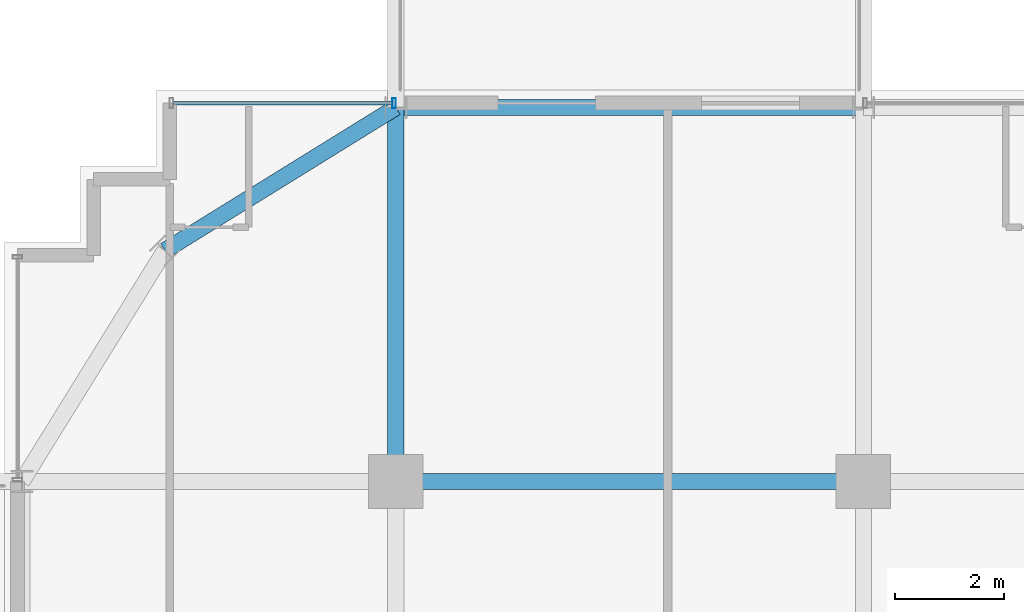
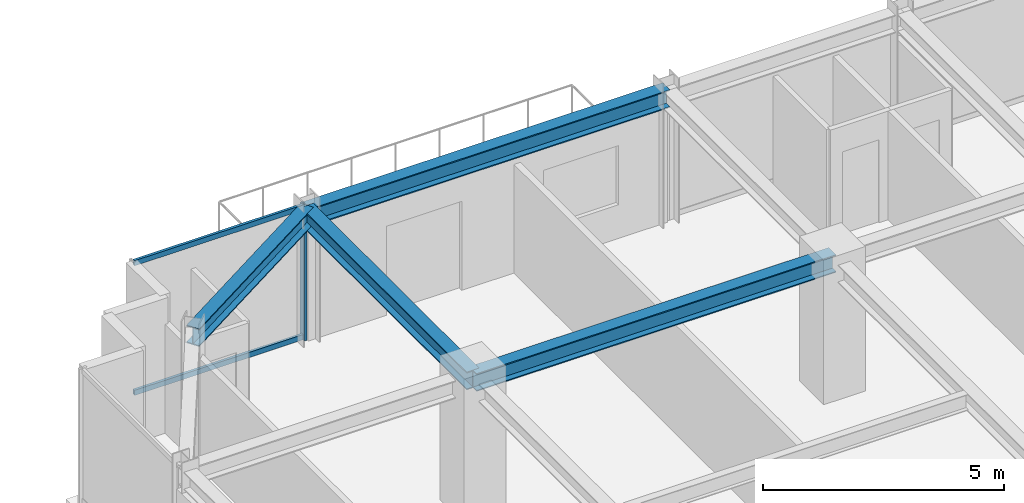
# One storey, part 21 of 36: 4 beams, 3 members, 1 element without a shape of its own.
"""IFC4 building model written with IfcOpenShell, lengths in metres."""

from ifc_helpers import new_model, si_unit, direction, frame, origin, origin_2d, place, context, subcontext, project, spatial, hollow_rectangle, i_section, extrude, source, transform, mapped, material, material_profile, profile_set, type_object, element, aggregate, save


model = new_model("IFC4")

# Units and contexts
model_context = context("Model", 3, precision=1e-05, world=origin(), true_north=direction((0.0, 1.0)))
body_context = subcontext(model_context, "Body", "Model", "MODEL_VIEW")
ifc_project = project(units=[si_unit("LENGTHUNIT", "METRE"), si_unit("AREAUNIT", "SQUARE_METRE"), si_unit("VOLUMEUNIT", "CUBIC_METRE"), si_unit("PLANEANGLEUNIT", "RADIAN"), si_unit("MASSUNIT", "GRAM", prefix="KILO")], contexts=[model_context])

# Site, building, storey
site_placement = place(None, origin())
site = spatial("IfcSite", under=ifc_project, at=site_placement, CompositionType="ELEMENT")
building_placement = place(site_placement, origin())
building = spatial("IfcBuilding", under=site, at=building_placement, Name="Nahalor Promenade Grand Hotel", CompositionType="ELEMENT")
storey_placement = place(building_placement, frame((0.0, 0.0, 212.300048828125)))
storey = spatial("IfcBuildingStorey", under=building, at=storey_placement, Name="L54", CompositionType="ELEMENT", Elevation=212.300048828125)

# Beams
ifc_material_1 = material(Name="Steel S355JR", Category="steel")
ifc_material_profile_1 = material_profile(ifc_material_1, i_section(OverallWidth=0.3, OverallDepth=0.45, WebThickness=0.014, FlangeThickness=0.026, at=origin_2d()), Name="HEB 450")
ifc_profile_set_1 = profile_set([ifc_material_profile_1], Name="Steel S355JR")
beam_type_1 = type_object("IfcBeamType", Name="Beam-Spandrel-HEB450", PredefinedType="SPANDREL", material=ifc_profile_set_1)
shared_shape_1 = source(origin(), body_context, "Body", "SweptSolid", [
    extrude(i_section(OverallWidth=0.3, OverallDepth=0.45, WebThickness=0.014, FlangeThickness=0.026, at=origin_2d()), origin(), (0.0, 0.0, 1.0), 8.60009765625),
])
beam_1_placement = place(storey_placement, frame((-17.0, 23.8798828125, 3.18505859375), z_axis=(1.0, 0.0, 0.0), x_axis=(0.0, 1.0, 0.0)))
element("IfcBeam", 1, at=beam_1_placement, inside=storey, type_object=beam_type_1, Name="BM-L54-SP-N-0", PredefinedType="SPANDREL", context=body_context, shape_type="MappedRepresentation", body=[
    mapped(shared_shape_1, transform((0.0, 0.0, 0.0), scale=1.0)),
])
shared_shape_2 = source(origin(), body_context, "Body", "SweptSolid", [
    extrude(i_section(OverallWidth=0.3, OverallDepth=0.45, WebThickness=0.014, FlangeThickness=0.026, at=origin_2d()), origin(), (0.0, 0.0, 1.0), 4.997802734375),
])
beam_2_placement = place(storey_placement, frame((-17.0, 23.8798828125, 3.18505859375), z_axis=(-0.850360908404, -0.526199891161, 0.0), x_axis=(0.526199891161, -0.850360908404, 0.0)))
element("IfcBeam", 2, at=beam_2_placement, inside=storey, type_object=beam_type_1, Name="BM-L54-SPC-NW-1", PredefinedType="SPANDREL", context=body_context, shape_type="MappedRepresentation", body=[
    mapped(shared_shape_2, transform((0.0, 0.0, 0.0), scale=1.0)),
])
ifc_material_profile_2 = material_profile(ifc_material_1, i_section(OverallWidth=0.3, OverallDepth=0.45, WebThickness=0.014, FlangeThickness=0.026, at=origin_2d()), Name="HEB 450")
ifc_profile_set_2 = profile_set([ifc_material_profile_2], Name="Steel S355JR")
beam_type_2 = type_object("IfcBeamType", Name="Beam-Girder-HEB450", PredefinedType="BEAM", material=ifc_profile_set_2)
shared_shape_3 = source(origin(), body_context, "Body", "SweptSolid", [
    extrude(i_section(OverallWidth=0.3, OverallDepth=0.45, WebThickness=0.014, FlangeThickness=0.026, at=origin_2d()), origin(), (0.0, 0.0, 1.0), 6.8798828125),
])
beam_3_placement = place(storey_placement, frame((-17.0, 17.0, 3.18505859375), z_axis=(0.0, 1.0, 0.0), x_axis=(-1.0, 0.0, 0.0)))
element("IfcBeam", 3, at=beam_3_placement, inside=storey, type_object=beam_type_2, Name="BM-L54-GY-0-4", PredefinedType="BEAM", context=body_context, shape_type="MappedRepresentation", body=[
    mapped(shared_shape_3, transform((0.0, 0.0, 0.0), scale=1.0)),
])
shared_shape_4 = source(origin(), body_context, "Body", "SweptSolid", [
    extrude(i_section(OverallWidth=0.3, OverallDepth=0.45, WebThickness=0.014, FlangeThickness=0.026, at=origin_2d()), origin(), (0.0, 0.0, 1.0), 8.60009765625),
])
beam_4_placement = place(storey_placement, frame((-17.0, 17.0, 3.18505859375), z_axis=(1.0, 0.0, 0.0), x_axis=(0.0, 1.0, 0.0)))
element("IfcBeam", 4, at=beam_4_placement, inside=storey, type_object=beam_type_2, Name="BM-L54-GX-3-1", PredefinedType="BEAM", context=body_context, shape_type="MappedRepresentation", body=[
    mapped(shared_shape_4, transform((0.0, 0.0, 0.0), scale=1.0)),
])

# Curtain wall, members
ifc_material_2 = material(Name="Anodised Bronze Aluminium EN AW-6063 T6", Category="aluminium")
curtain_wall_type = type_object("IfcCurtainWallType", Name="CW2 Typical Hotel Flush Bronze Unitised Curtain Wall", PredefinedType="USERDEFINED", material=ifc_material_2)
curtain_wall_placement = place(storey_placement, origin())
curtain_wall = element("IfcCurtainWall", 5, at=curtain_wall_placement, inside=storey, type_object=curtain_wall_type, Name="L54 Curtain Wall CW-L54-N-1", ObjectType="UNITISED_CURTAIN_WALL", PredefinedType="USERDEFINED")
ifc_material_profile_3 = material_profile(ifc_material_2, hollow_rectangle(XDim=0.065, YDim=0.13, WallThickness=0.004, at=origin_2d()), Name="CWT 65x130x4")
ifc_profile_set_3 = profile_set([ifc_material_profile_3], Name="Anodised Bronze Aluminium EN AW-6063 T6")
member_type_1 = type_object("IfcMemberType", Name="CWT2 Typical Bronze Transom 65x130", PredefinedType="USERDEFINED", material=ifc_profile_set_3)
shared_shape_5 = source(origin(), body_context, "Body", "SweptSolid", [
    extrude(hollow_rectangle(XDim=0.065, YDim=0.13, WallThickness=0.004, at=origin_2d()), origin(), (0.0, 0.0, 1.0), 4.030029296875),
])
member_1_placement = place(storey_placement, frame((-21.094970703125, 23.9599609375, 0.06494140625), z_axis=(1.0, 0.0, 0.0), x_axis=(0.0, 1.0, 0.0)))
member_1 = element("IfcMember", 6, at=member_1_placement, type_object=member_type_1, Name="CW-L54-N-1 Transom 0-0", ObjectType="TRANSOM", PredefinedType="USERDEFINED", context=body_context, shape_type="MappedRepresentation", body=[
    mapped(shared_shape_5, transform((0.0, 0.0, 0.0), scale=1.0)),
])
member_2_placement = place(storey_placement, frame((-21.094970703125, 23.9599609375, 3.344970703125), z_axis=(1.0, 0.0, 0.0), x_axis=(0.0, 1.0, 0.0)))
member_2 = element("IfcMember", 7, at=member_2_placement, type_object=member_type_1, Name="CW-L54-N-1 Transom 0-1", ObjectType="TRANSOM", PredefinedType="USERDEFINED", context=body_context, shape_type="MappedRepresentation", body=[
    mapped(shared_shape_5, transform((0.0, 0.0, 0.0), scale=1.0)),
])
ifc_material_profile_4 = material_profile(ifc_material_2, hollow_rectangle(XDim=0.065, YDim=0.18, WallThickness=0.004, at=origin_2d()), Name="CWM 65x180x4")
ifc_profile_set_4 = profile_set([ifc_material_profile_4], Name="Anodised Bronze Aluminium EN AW-6063 T6")
member_type_2 = type_object("IfcMemberType", Name="CWM2 Typical Bronze Mullion 65x180", PredefinedType="MULLION", material=ifc_profile_set_4)
shared_shape_6 = source(origin(), body_context, "Body", "SweptSolid", [
    extrude(hollow_rectangle(XDim=0.065, YDim=0.18, WallThickness=0.004, at=origin_2d()), origin(), (0.0, 0.0, 1.0), 3.409912109375),
])
member_3_placement = place(storey_placement, frame((-17.032470703125, 23.9599609375, 0.0), z_axis=(0.0, 0.0, 1.0), x_axis=(1.0, 0.0, 0.0)))
member_3 = element("IfcMember", 8, at=member_3_placement, type_object=member_type_2, Name="CW-L54-N-1 Mullion 1", PredefinedType="MULLION", context=body_context, shape_type="MappedRepresentation", body=[
    mapped(shared_shape_6, transform((0.0, 0.0, 0.0), scale=1.0)),
])
aggregate(curtain_wall, [member_3, member_1, member_2])

save(model, "model.ifc")
